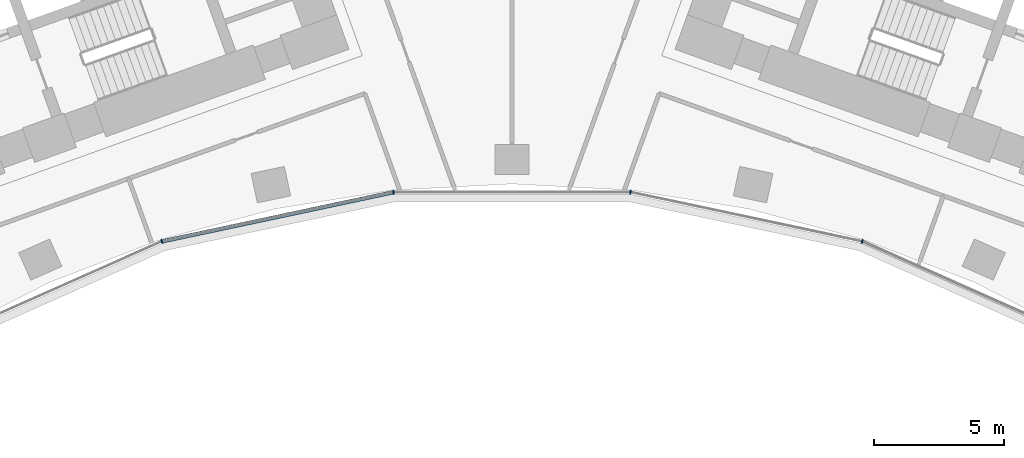
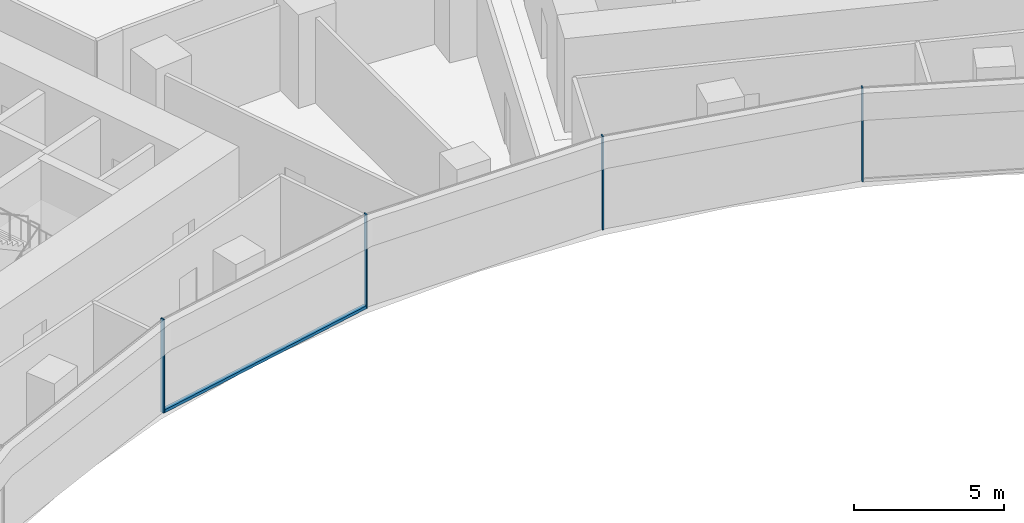
# One storey, part 4 of 20: 5 members, 1 element without a shape of its own.
"""IFC4 building model written with IfcOpenShell, lengths in metres."""

from ifc_helpers import new_model, si_unit, direction, frame, origin, origin_2d, place, context, subcontext, project, spatial, rectangle, extrude, material, layer, layer_set, material_profile, profile_set, type_object, element, aggregate, save


model = new_model("IFC4")

# Units and contexts
model_context = context("Model", 3, precision=1e-05, world=origin(), true_north=direction((0.0, 1.0)))
body_context = subcontext(model_context, "Body", "Model", "MODEL_VIEW")
ifc_project = project(units=[si_unit("LENGTHUNIT", "METRE"), si_unit("AREAUNIT", "SQUARE_METRE"), si_unit("VOLUMEUNIT", "CUBIC_METRE"), si_unit("PLANEANGLEUNIT", "RADIAN"), si_unit("MASSUNIT", "GRAM", prefix="KILO")], contexts=[model_context])

# Site, building, storey
site_placement = place(None, origin())
site = spatial("IfcSite", under=ifc_project, at=site_placement, CompositionType="ELEMENT")
building_placement = place(site_placement, origin())
building = spatial("IfcBuilding", under=site, at=building_placement, Name="Stone Belt Terrace Tower", CompositionType="ELEMENT")
storey_placement = place(building_placement, frame((0.0, 0.0, 106.0)))
storey = spatial("IfcBuildingStorey", under=building, at=storey_placement, Name="L25", CompositionType="ELEMENT", Elevation=106.0)

# Curtain wall, members
ifc_material = material(Name="Aluminium 6063-T6 anodised frame", Category="aluminium")
ifc_layer = layer(ifc_material, 0.14990234375)
ifc_layer_set = layer_set([ifc_layer], Name="CW-B unitised concave-face curtain wall")
curtain_wall_type = type_object("IfcCurtainWallType", Name="CW-B unitised concave-face curtain wall", PredefinedType="NOTDEFINED", material=ifc_layer_set)
curtain_wall_placement = place(storey_placement, origin())
curtain_wall = element("IfcCurtainWall", 1, at=curtain_wall_placement, inside=storey, type_object=curtain_wall_type, Name="CW-B concave face L25", PredefinedType="NOTDEFINED")
ifc_material_profile_1 = material_profile(ifc_material, rectangle(XDim=0.14990234375, YDim=0.050048828125, at=origin_2d()), Name="Aluminium 6063-T6 50x150")
ifc_profile_set_1 = profile_set([ifc_material_profile_1], Name="Aluminium 6063-T6 anodised frame")
member_type_1 = type_object("IfcMemberType", Name="CW-B mullion 50 x 150", PredefinedType="MULLION", material=ifc_profile_set_1)
member_1_placement = place(storey_placement, frame((-13.4189453125, 41.29931640625, 0.0), z_axis=(0.0, 0.0, 1.0), x_axis=(-0.309016994375, 0.951056516295, 0.0)))
member_1 = element("IfcMember", 2, at=member_1_placement, type_object=member_type_1, Name="CW-B mullion 4", PredefinedType="MULLION", context=body_context, shape_type="SweptSolid", body=[
    extrude(rectangle(XDim=0.14990234375, YDim=0.050048828125, at=origin_2d()), origin(), (0.0, 0.0, 1.0), 3.800048828125),
])
member_2_placement = place(storey_placement, frame((-4.5390625, 43.186767578125, 0.0), z_axis=(0.0, 0.0, 1.0), x_axis=(-0.104528463268, 0.994521895368, 0.0)))
member_2 = element("IfcMember", 3, at=member_2_placement, type_object=member_type_1, Name="CW-B mullion 5", PredefinedType="MULLION", context=body_context, shape_type="SweptSolid", body=[
    extrude(rectangle(XDim=0.14990234375, YDim=0.050048828125, at=origin_2d()), origin(), (0.0, 0.0, 1.0), 3.800048828125),
])
member_3_placement = place(storey_placement, frame((4.5390625, 43.186767578125, 0.0), z_axis=(0.0, 0.0, 1.0), x_axis=(0.104528463268, 0.994521895368, 0.0)))
member_3 = element("IfcMember", 4, at=member_3_placement, type_object=member_type_1, Name="CW-B mullion 6", PredefinedType="MULLION", context=body_context, shape_type="SweptSolid", body=[
    extrude(rectangle(XDim=0.14990234375, YDim=0.050048828125, at=origin_2d()), origin(), (0.0, 0.0, 1.0), 3.800048828125),
])
member_4_placement = place(storey_placement, frame((13.4189453125, 41.29931640625, 0.0), z_axis=(0.0, 0.0, 1.0), x_axis=(0.309016994375, 0.951056516295, 0.0)))
member_4 = element("IfcMember", 5, at=member_4_placement, type_object=member_type_1, Name="CW-B mullion 7", PredefinedType="MULLION", context=body_context, shape_type="SweptSolid", body=[
    extrude(rectangle(XDim=0.14990234375, YDim=0.050048828125, at=origin_2d()), origin(), (0.0, 0.0, 1.0), 3.800048828125),
])
ifc_material_profile_2 = material_profile(ifc_material, rectangle(XDim=0.14990234375, YDim=0.1201171875, at=origin_2d()), Name="Aluminium 6063-T6 150x120")
ifc_profile_set_2 = profile_set([ifc_material_profile_2], Name="Aluminium 6063-T6 anodised frame")
member_type_2 = type_object("IfcMemberType", Name="CW-B transom 120 x 150", PredefinedType="USERDEFINED", material=ifc_profile_set_2)
member_5_placement = place(storey_placement, frame((-13.386962890625, 41.30615234375, 0.06005859375), z_axis=(0.9781499003, 0.207900871914, 0.0), x_axis=(-0.207900871914, 0.9781499003, 0.0)))
member_5 = element("IfcMember", 6, at=member_5_placement, type_object=member_type_2, Name="CW-B transom 4.1", ObjectType="TRANSOM", PredefinedType="USERDEFINED", context=body_context, shape_type="SweptSolid", body=[
    extrude(rectangle(XDim=0.14990234375, YDim=0.1201171875, at=origin_2d()), origin(), (0.0, 0.0, 1.0), 9.012939453125),
])
aggregate(curtain_wall, [member_1, member_2, member_3, member_4, member_5])

save(model, "model.ifc")
